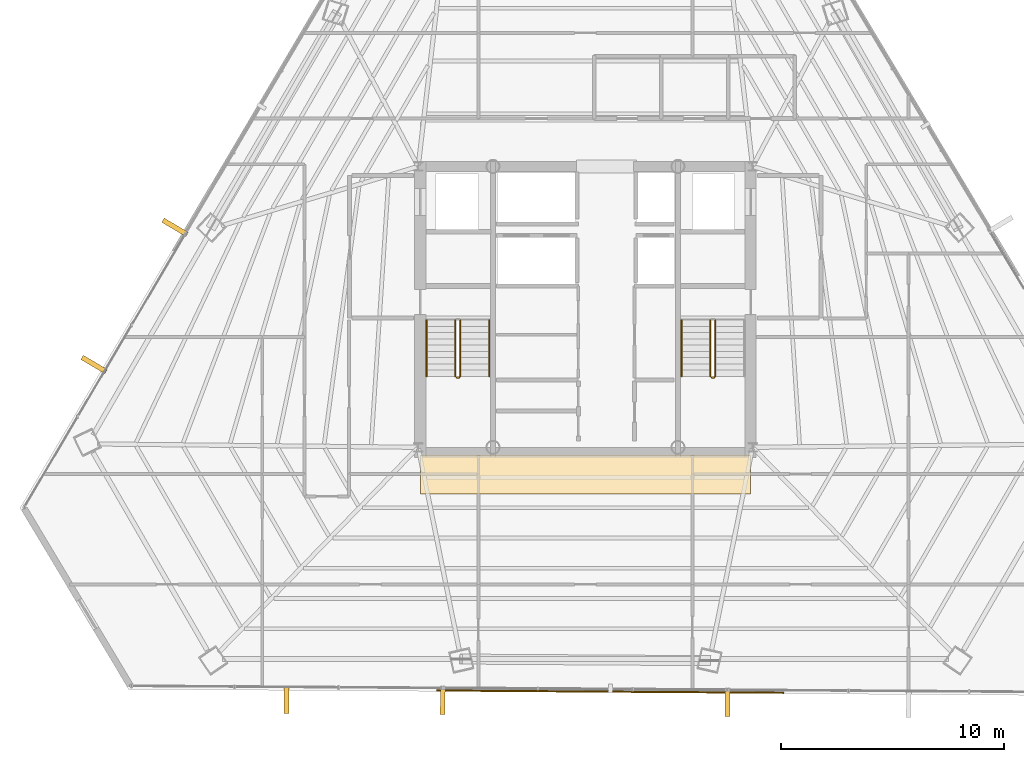
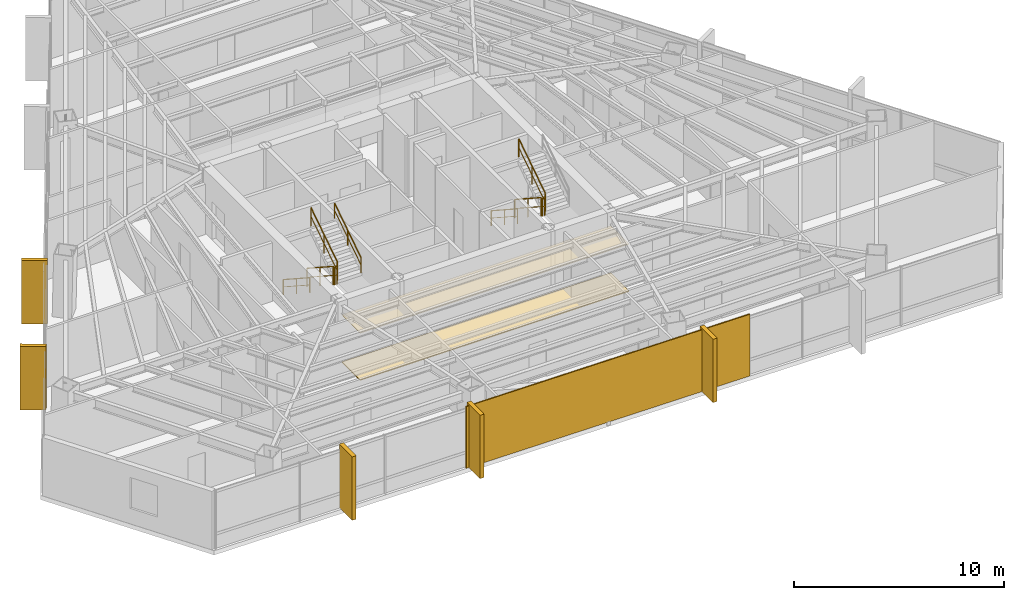
# One storey, part 39 of 41: 9 railings, 7 coverings, 1 shading device.
"""IFC4 building model written with IfcOpenShell, lengths in metres."""

from ifc_helpers import new_model, si_unit, direction, frame, origin, origin_2d, place, context, subcontext, project, spatial, polyline, rectangle, outline, extrude, source, transform, mapped, material, layer, layer_set, type_object, type_shapes, element, save


model = new_model("IFC4")

# Units and contexts
model_context = context("Model", 3, precision=1e-05, world=origin(), true_north=direction((0.0, 1.0)))
body_context = subcontext(model_context, "Body", "Model", "MODEL_VIEW")
ifc_project = project(units=[si_unit("LENGTHUNIT", "METRE"), si_unit("AREAUNIT", "SQUARE_METRE"), si_unit("VOLUMEUNIT", "CUBIC_METRE"), si_unit("PLANEANGLEUNIT", "RADIAN"), si_unit("MASSUNIT", "GRAM", prefix="KILO")], contexts=[model_context])

# Site, building, storey
site_placement = place(None, origin())
site = spatial("IfcSite", under=ifc_project, at=site_placement, CompositionType="ELEMENT")
building_placement = place(site_placement, origin())
building = spatial("IfcBuilding", under=site, at=building_placement, Name="Caelisora Broadcast Tower", CompositionType="ELEMENT")
storey_placement = place(building_placement, frame((0.0, 0.0, 180.39990234375)))
storey = spatial("IfcBuildingStorey", under=building, at=storey_placement, Name="L47", CompositionType="ELEMENT", Elevation=180.39990234375)

# Coverings
ifc_material_1 = material(Name="Perforated Mineral-Fibre Acoustic Ceiling Tile", Category="gypsum")
ifc_layer_1 = layer(ifc_material_1, 0.034912109375, Name="Perforated Mineral-Fibre Acoustic Ceiling Tile")
ifc_layer_set_1 = layer_set([ifc_layer_1], Name="Perforated Mineral-Fibre Acoustic Ceiling Tile")
covering_type_1 = type_object("IfcCoveringType", Name="CE-1", PredefinedType="CEILING", material=ifc_layer_set_1)
covering_1_placement = place(storey_placement, frame((0.0, 0.0, 2.75)))
element("IfcCovering", 1, at=covering_1_placement, inside=storey, type_object=covering_type_1, Name="L47 acoustic corridor ceiling CE-1 (S)", PredefinedType="CEILING", context=body_context, shape_type="SweptSolid", body=[
    extrude(outline(polyline([(30.60009765625, 15.300048828125), (45.39990234375, 15.300048828125), (45.39990234375, 17.050048828125), (30.60009765625, 17.050048828125), (30.60009765625, 15.300048828125)])), origin(), (0.0, 0.0, 1.0), 0.03515625),
])
ifc_material_2 = material(Name="Anti-Static Broadcast Raised Access Floor Panel", Category="steel")
ifc_layer_2 = layer(ifc_material_2, 0.044921875, Name="Anti-Static Broadcast Raised Access Floor Panel")
ifc_layer_set_2 = layer_set([ifc_layer_2], Name="Anti-Static Broadcast Raised Access Floor Panel")
covering_type_2 = type_object("IfcCoveringType", Name="FL-1", PredefinedType="FLOORING", material=ifc_layer_set_2)
covering_2_placement = place(storey_placement, origin())
element("IfcCovering", 2, at=covering_2_placement, inside=storey, type_object=covering_type_2, Name="L47 broadcast raised access floor FL-1 (S)", PredefinedType="FLOORING", context=body_context, shape_type="SweptSolid", body=[
    extrude(outline(polyline([(30.60009765625, 15.300048828125), (45.39990234375, 15.300048828125), (45.39990234375, 17.050048828125), (30.60009765625, 17.050048828125), (30.60009765625, 15.300048828125)])), origin(), (0.0, 0.0, 1.0), 0.045166015625),
])

# Railings
ifc_material_3 = material(Name="Galvanised Steel Safety Guardrail", Category="steel")
ifc_layer_3 = layer(ifc_material_3, 0.048095703125, Name="Galvanised Steel Safety Guardrail")
ifc_layer_set_3 = layer_set([ifc_layer_3], Name="Galvanised Steel Safety Guardrail")
railing_type_1 = type_object("IfcRailingType", Name="GR-1", PredefinedType="GUARDRAIL", material=ifc_layer_set_3)
railing_1_placement = place(storey_placement, frame((32.169921875, 23.10009765625, 0.1826171875)))
element("IfcRailing", 3, at=railing_1_placement, inside=storey, type_object=railing_type_1, Name="L47 ST-1 stair guard 1", PredefinedType="GUARDRAIL", context=body_context, shape_type="SweptSolid", body=[
    extrude(rectangle(XDim=0.048095703125, YDim=0.048095703125, at=origin_2d()), frame((0.0, 0.0, 1.076171875), z_axis=(0.0, -0.837749427056, 0.546054848405), x_axis=(1.0, 0.0, 0.0)), (0.0, 0.0, 1.0), 3.008056640625),
    extrude(rectangle(XDim=0.03125, YDim=0.03125, at=origin_2d()), frame((0.0, 0.0, 0.550048828125), z_axis=(0.0, -0.837749427056, 0.546054848405), x_axis=(1.0, 0.0, 0.0)), (0.0, 0.0, 1.0), 3.008056640625),
    extrude(rectangle(XDim=0.0419921875, YDim=0.0419921875, at=origin_2d()), origin(), (0.0, 0.0, 1.0), 1.052001953125),
    extrude(rectangle(XDim=0.0419921875, YDim=0.0419921875, at=origin_2d()), frame((0.0, -1.260009765625, 0.8212890625)), (0.0, 0.0, 1.0), 1.052001953125),
    extrude(rectangle(XDim=0.0419921875, YDim=0.0419921875, at=origin_2d()), frame((0.0, -2.52001953125, 1.642578125)), (0.0, 0.0, 1.0), 1.052001953125),
])
railing_2_placement = place(storey_placement, frame((32.219970703125, 20.530029296875, 1.8251953125)))
element("IfcRailing", 4, at=railing_2_placement, inside=storey, type_object=railing_type_1, Name="L47 ST-1 stair guard 2", PredefinedType="GUARDRAIL", context=body_context, shape_type="SweptSolid", body=[
    extrude(rectangle(XDim=0.048095703125, YDim=0.048095703125, at=origin_2d()), frame((0.0, 0.0, 1.076171875), z_axis=(1.0, 0.0, 0.0), x_axis=(0.0, 1.0, 0.0)), (0.0, 0.0, 1.0), 0.1201171875),
    extrude(rectangle(XDim=0.03125, YDim=0.03125, at=origin_2d()), frame((0.0, 0.0, 0.550048828125), z_axis=(1.0, 0.0, 0.0), x_axis=(0.0, 1.0, 0.0)), (0.0, 0.0, 1.0), 0.1201171875),
    extrude(rectangle(XDim=0.0419921875, YDim=0.0419921875, at=origin_2d()), origin(), (0.0, 0.0, 1.0), 1.052001953125),
    extrude(rectangle(XDim=0.0419921875, YDim=0.0419921875, at=origin_2d()), frame((0.1201171875, 0.0, 0.0)), (0.0, 0.0, 1.0), 1.052001953125),
])
railing_3_placement = place(storey_placement, frame((32.389892578125, 20.580078125, 2.007568359375)))
element("IfcRailing", 5, at=railing_3_placement, inside=storey, type_object=railing_type_1, Name="L47 ST-1 stair guard 3", PredefinedType="GUARDRAIL", context=body_context, shape_type="SweptSolid", body=[
    extrude(rectangle(XDim=0.048095703125, YDim=0.048095703125, at=origin_2d()), frame((0.0, 0.0, 1.076171875), z_axis=(0.0, 0.837749427056, 0.546054848405), x_axis=(-1.0, 0.0, 0.0)), (0.0, 0.0, 1.0), 3.008056640625),
    extrude(rectangle(XDim=0.03125, YDim=0.03125, at=origin_2d()), frame((0.0, 0.0, 0.550048828125), z_axis=(0.0, 0.837749427056, 0.546054848405), x_axis=(-1.0, 0.0, 0.0)), (0.0, 0.0, 1.0), 3.008056640625),
    extrude(rectangle(XDim=0.0419921875, YDim=0.0419921875, at=origin_2d()), origin(), (0.0, 0.0, 1.0), 1.052001953125),
    extrude(rectangle(XDim=0.0419921875, YDim=0.0419921875, at=origin_2d()), frame((0.0, 1.260009765625, 0.8212890625)), (0.0, 0.0, 1.0), 1.052001953125),
    extrude(rectangle(XDim=0.0419921875, YDim=0.0419921875, at=origin_2d()), frame((0.0, 2.52001953125, 1.642578125)), (0.0, 0.0, 1.0), 1.052001953125),
])
railing_4_placement = place(storey_placement, frame((43.610107421875, 23.10009765625, 0.1826171875)))
element("IfcRailing", 6, at=railing_4_placement, inside=storey, type_object=railing_type_1, Name="L47 ST-2 stair guard 1", PredefinedType="GUARDRAIL", context=body_context, shape_type="SweptSolid", body=[
    extrude(rectangle(XDim=0.048095703125, YDim=0.048095703125, at=origin_2d()), frame((0.0, 0.0, 1.076171875), z_axis=(0.0, -0.837749427056, 0.546054848405), x_axis=(1.0, 0.0, 0.0)), (0.0, 0.0, 1.0), 3.008056640625),
    extrude(rectangle(XDim=0.03125, YDim=0.03125, at=origin_2d()), frame((0.0, 0.0, 0.550048828125), z_axis=(0.0, -0.837749427056, 0.546054848405), x_axis=(1.0, 0.0, 0.0)), (0.0, 0.0, 1.0), 3.008056640625),
    extrude(rectangle(XDim=0.0419921875, YDim=0.0419921875, at=origin_2d()), origin(), (0.0, 0.0, 1.0), 1.052001953125),
    extrude(rectangle(XDim=0.0419921875, YDim=0.0419921875, at=origin_2d()), frame((0.0, -1.260009765625, 0.8212890625)), (0.0, 0.0, 1.0), 1.052001953125),
    extrude(rectangle(XDim=0.0419921875, YDim=0.0419921875, at=origin_2d()), frame((0.0, -2.52001953125, 1.642578125)), (0.0, 0.0, 1.0), 1.052001953125),
])
railing_5_placement = place(storey_placement, frame((43.659912109375, 20.530029296875, 1.8251953125)))
element("IfcRailing", 7, at=railing_5_placement, inside=storey, type_object=railing_type_1, Name="L47 ST-2 stair guard 2", PredefinedType="GUARDRAIL", context=body_context, shape_type="SweptSolid", body=[
    extrude(rectangle(XDim=0.048095703125, YDim=0.048095703125, at=origin_2d()), frame((0.0, 0.0, 1.076171875), z_axis=(1.0, 0.0, 0.0), x_axis=(0.0, 1.0, 0.0)), (0.0, 0.0, 1.0), 0.1201171875),
    extrude(rectangle(XDim=0.03125, YDim=0.03125, at=origin_2d()), frame((0.0, 0.0, 0.550048828125), z_axis=(1.0, 0.0, 0.0), x_axis=(0.0, 1.0, 0.0)), (0.0, 0.0, 1.0), 0.1201171875),
    extrude(rectangle(XDim=0.0419921875, YDim=0.0419921875, at=origin_2d()), origin(), (0.0, 0.0, 1.0), 1.052001953125),
    extrude(rectangle(XDim=0.0419921875, YDim=0.0419921875, at=origin_2d()), frame((0.1201171875, 0.0, 0.0)), (0.0, 0.0, 1.0), 1.052001953125),
])
railing_6_placement = place(storey_placement, frame((43.830078125, 20.580078125, 2.007568359375)))
element("IfcRailing", 8, at=railing_6_placement, inside=storey, type_object=railing_type_1, Name="L47 ST-2 stair guard 3", PredefinedType="GUARDRAIL", context=body_context, shape_type="SweptSolid", body=[
    extrude(rectangle(XDim=0.048095703125, YDim=0.048095703125, at=origin_2d()), frame((0.0, 0.0, 1.076171875), z_axis=(0.0, 0.837749427056, 0.546054848405), x_axis=(-1.0, 0.0, 0.0)), (0.0, 0.0, 1.0), 3.008056640625),
    extrude(rectangle(XDim=0.03125, YDim=0.03125, at=origin_2d()), frame((0.0, 0.0, 0.550048828125), z_axis=(0.0, 0.837749427056, 0.546054848405), x_axis=(-1.0, 0.0, 0.0)), (0.0, 0.0, 1.0), 3.008056640625),
    extrude(rectangle(XDim=0.0419921875, YDim=0.0419921875, at=origin_2d()), origin(), (0.0, 0.0, 1.0), 1.052001953125),
    extrude(rectangle(XDim=0.0419921875, YDim=0.0419921875, at=origin_2d()), frame((0.0, 1.260009765625, 0.8212890625)), (0.0, 0.0, 1.0), 1.052001953125),
    extrude(rectangle(XDim=0.0419921875, YDim=0.0419921875, at=origin_2d()), frame((0.0, 2.52001953125, 1.642578125)), (0.0, 0.0, 1.0), 1.052001953125),
])
ifc_material_4 = material(Name="Stainless Steel Grade 316 Tubular Handrail", Category="steel")
ifc_layer_4 = layer(ifc_material_4, 0.048095703125, Name="Stainless Steel Grade 316 Tubular Handrail")
ifc_layer_set_4 = layer_set([ifc_layer_4], Name="Stainless Steel Grade 316 Tubular Handrail")
railing_type_2 = type_object("IfcRailingType", Name="HR-1", PredefinedType="HANDRAIL", material=ifc_layer_set_4)
railing_7_placement = place(storey_placement, frame((30.8701171875, 23.10009765625, 0.1826171875)))
element("IfcRailing", 9, at=railing_7_placement, inside=storey, type_object=railing_type_2, Name="L47 ST-1 stair handrail 1", PredefinedType="HANDRAIL", context=body_context, shape_type="SweptSolid", body=[
    extrude(rectangle(XDim=0.048095703125, YDim=0.048095703125, at=origin_2d()), frame((0.0, 0.0, 0.8759765625), z_axis=(0.0, -0.837749427056, 0.546054848405), x_axis=(1.0, 0.0, 0.0)), (0.0, 0.0, 1.0), 3.008056640625),
    extrude(rectangle(XDim=0.03125, YDim=0.03125, at=origin_2d()), frame((0.0, 0.0, 0.449951171875), z_axis=(0.0, -0.837749427056, 0.546054848405), x_axis=(1.0, 0.0, 0.0)), (0.0, 0.0, 1.0), 3.008056640625),
    extrude(rectangle(XDim=0.0419921875, YDim=0.0419921875, at=origin_2d()), origin(), (0.0, 0.0, 1.0), 0.851806640625),
    extrude(rectangle(XDim=0.0419921875, YDim=0.0419921875, at=origin_2d()), frame((0.0, -1.260009765625, 0.8212890625)), (0.0, 0.0, 1.0), 0.851806640625),
    extrude(rectangle(XDim=0.0419921875, YDim=0.0419921875, at=origin_2d()), frame((0.0, -2.52001953125, 1.642578125)), (0.0, 0.0, 1.0), 0.851806640625),
])
railing_8_placement = place(storey_placement, frame((33.68994140625, 20.580078125, 2.007568359375)))
element("IfcRailing", 10, at=railing_8_placement, inside=storey, type_object=railing_type_2, Name="L47 ST-1 stair handrail 2", PredefinedType="HANDRAIL", context=body_context, shape_type="SweptSolid", body=[
    extrude(rectangle(XDim=0.048095703125, YDim=0.048095703125, at=origin_2d()), frame((0.0, 0.0, 0.8759765625), z_axis=(0.0, 0.837749427056, 0.546054848405), x_axis=(-1.0, 0.0, 0.0)), (0.0, 0.0, 1.0), 3.008056640625),
    extrude(rectangle(XDim=0.03125, YDim=0.03125, at=origin_2d()), frame((0.0, 0.0, 0.449951171875), z_axis=(0.0, 0.837749427056, 0.546054848405), x_axis=(-1.0, 0.0, 0.0)), (0.0, 0.0, 1.0), 3.008056640625),
    extrude(rectangle(XDim=0.0419921875, YDim=0.0419921875, at=origin_2d()), origin(), (0.0, 0.0, 1.0), 0.851806640625),
    extrude(rectangle(XDim=0.0419921875, YDim=0.0419921875, at=origin_2d()), frame((0.0, 1.260009765625, 0.8212890625)), (0.0, 0.0, 1.0), 0.851806640625),
    extrude(rectangle(XDim=0.0419921875, YDim=0.0419921875, at=origin_2d()), frame((0.0, 2.52001953125, 1.642578125)), (0.0, 0.0, 1.0), 0.851806640625),
])
railing_9_placement = place(storey_placement, frame((42.31005859375, 23.10009765625, 0.1826171875)))
element("IfcRailing", 11, at=railing_9_placement, inside=storey, type_object=railing_type_2, Name="L47 ST-2 stair handrail 1", PredefinedType="HANDRAIL", context=body_context, shape_type="SweptSolid", body=[
    extrude(rectangle(XDim=0.048095703125, YDim=0.048095703125, at=origin_2d()), frame((0.0, 0.0, 0.8759765625), z_axis=(0.0, -0.837749427056, 0.546054848405), x_axis=(1.0, 0.0, 0.0)), (0.0, 0.0, 1.0), 3.008056640625),
    extrude(rectangle(XDim=0.03125, YDim=0.03125, at=origin_2d()), frame((0.0, 0.0, 0.449951171875), z_axis=(0.0, -0.837749427056, 0.546054848405), x_axis=(1.0, 0.0, 0.0)), (0.0, 0.0, 1.0), 3.008056640625),
    extrude(rectangle(XDim=0.0419921875, YDim=0.0419921875, at=origin_2d()), origin(), (0.0, 0.0, 1.0), 0.851806640625),
    extrude(rectangle(XDim=0.0419921875, YDim=0.0419921875, at=origin_2d()), frame((0.0, -1.260009765625, 0.8212890625)), (0.0, 0.0, 1.0), 0.851806640625),
    extrude(rectangle(XDim=0.0419921875, YDim=0.0419921875, at=origin_2d()), frame((0.0, -2.52001953125, 1.642578125)), (0.0, 0.0, 1.0), 0.851806640625),
])

# Coverings
ifc_material_5 = material(Name="Kiln-Fired Terracotta Spandrel Rainscreen Cladding", Category="ceramic")
ifc_layer_5 = layer(ifc_material_5, 0.044921875, Name="Kiln-Fired Terracotta Spandrel Rainscreen Cladding")
ifc_layer_set_5 = layer_set([ifc_layer_5], Name="Kiln-Fired Terracotta Spandrel Rainscreen Cladding")
covering_type_3 = type_object("IfcCoveringType", Name="CL-1", PredefinedType="CLADDING", material=ifc_layer_set_5)
shared_shape_1 = source(origin(), body_context, "Body", "SweptSolid", [
    extrude(rectangle(XDim=0.219970703125, YDim=1.25, at=origin_2d()), origin(), (0.0, 0.0, 1.0), 3.68994140625),
])
type_shapes(covering_type_3, [shared_shape_1])
for number, where, z_axis, x_axis, name in (
    (12, (44.3759765625, 5.952880859375, -0.019775390625), (0.0, 0.0, 1.0), (-0.999978006703, 0.006632202536, 0.0), "L47 vertical solar fin cladding #2-2"),
    (13, (31.599609375, 6.037841796875, -0.019775390625), (0.0, 0.0, 1.0), (-0.999978006703, 0.006632202536, 0.0), "L47 vertical solar fin cladding #2-3"),
    (14, (24.593017578125, 6.08447265625, -0.019775390625), (0.0, 0.0, 1.0), (-0.999978006703, 0.006632202536, 0.0), "L47 vertical solar fin cladding #2-4"),
    (15, (15.9560546875, 21.115478515625, -0.019775390625), (0.0, 0.0, 1.0), (0.508139769859, 0.861274621876, 0.0), "L47 vertical solar fin cladding #3-1"),
    (16, (19.58642578125, 27.26953125, -0.019775390625), (0.0, 0.0, 1.0), (0.508139769859, 0.861274621876, 0.0), "L47 vertical solar fin cladding #3-2"),
):
    element("IfcCovering", number, at=place(storey_placement, frame(where, z_axis=z_axis, x_axis=x_axis)), inside=storey, type_object=covering_type_3, Name=name, PredefinedType="CLADDING", context=body_context, shape_type="MappedRepresentation", body=[
        mapped(shared_shape_1, transform((0.0, 0.0, 0.0), scale=1.0)),
    ])

# Shading device
ifc_material_6 = material(Name="Perforated Glazed Terracotta Baguette Solar Screen", Category="ceramic")
ifc_layer_6 = layer(ifc_material_6, 0.06494140625, Name="Perforated Glazed Terracotta Baguette Solar Screen")
ifc_layer_set_6 = layer_set([ifc_layer_6], Name="Perforated Glazed Terracotta Baguette Solar Screen")
shading_device_type = type_object("IfcShadingDeviceType", Name="SS-1", PredefinedType="USERDEFINED", material=ifc_layer_set_6)
shared_shape_2 = source(origin(), body_context, "Body", "SweptSolid", [
    extrude(rectangle(XDim=15.55908203125, YDim=0.06494140625, at=origin_2d()), origin(), (0.0, 0.0, 1.0), 3.590087890625),
])
type_shapes(shading_device_type, [shared_shape_2])
shading_device_placement = place(storey_placement, frame((39.11474609375, 6.43798828125, 0.0), z_axis=(0.0, 0.0, 1.0), x_axis=(0.999978006703, -0.006632202536, 0.0)))
element("IfcShadingDevice", 17, at=shading_device_placement, inside=storey, type_object=shading_device_type, Name="L47 perforated terracotta solar screen #2", ObjectType="SOLAR SCREEN", PredefinedType="USERDEFINED", context=body_context, shape_type="MappedRepresentation", body=[
    mapped(shared_shape_2, transform((0.0, 0.0, 0.0), scale=1.0)),
])

save(model, "model.ifc")
